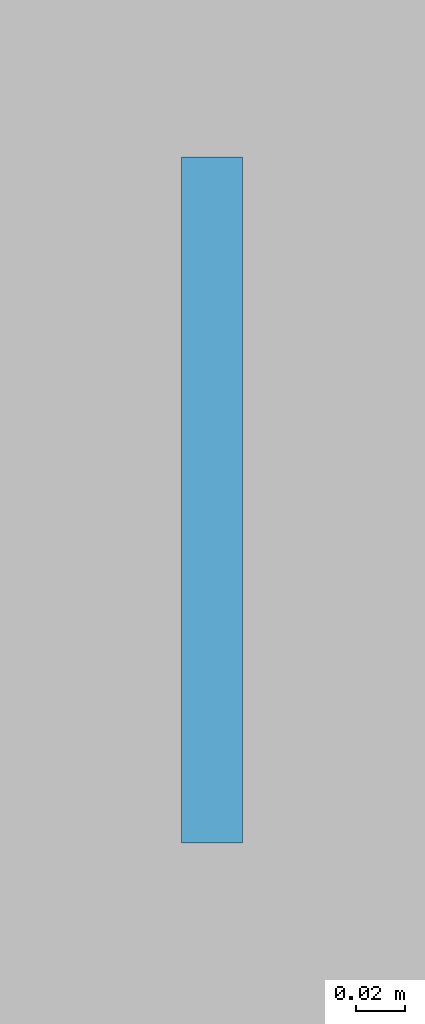
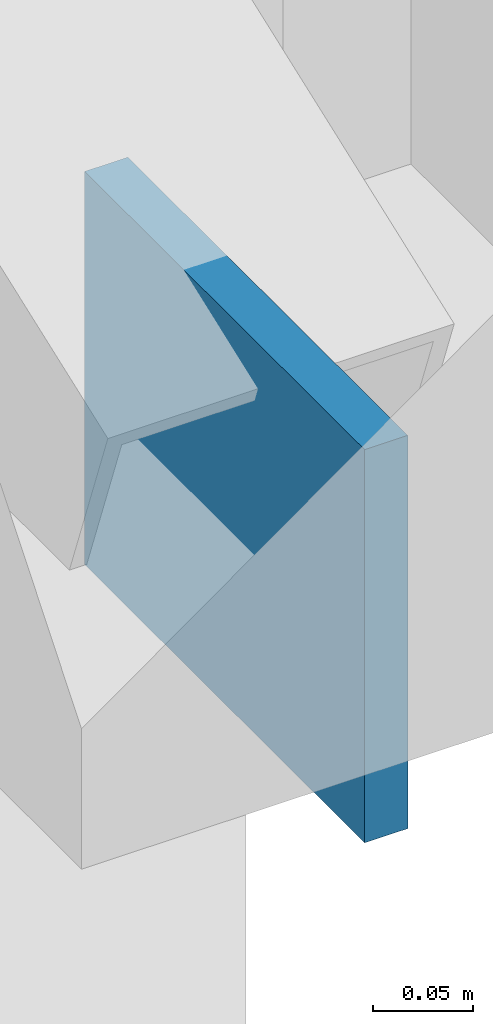
# One storey, part 132 of 157: 1 plate.
"""IFC4 building model written with IfcOpenShell, lengths in metres."""

from ifc_helpers import new_model, si_unit, direction, frame, origin, origin_2d, place, context, subcontext, project, spatial, rectangle, extrude, material, layer, layer_set, type_object, element, save


model = new_model("IFC4")

# Units and contexts
model_context = context("Model", 3, precision=1e-05, world=origin(), true_north=direction((0.0, 1.0)))
body_context = subcontext(model_context, "Body", "Model", "MODEL_VIEW")
ifc_project = project(units=[si_unit("LENGTHUNIT", "METRE"), si_unit("AREAUNIT", "SQUARE_METRE"), si_unit("VOLUMEUNIT", "CUBIC_METRE"), si_unit("PLANEANGLEUNIT", "RADIAN"), si_unit("MASSUNIT", "GRAM", prefix="KILO")], contexts=[model_context])

# Site, building, storey
site_placement = place(None, origin())
site = spatial("IfcSite", under=ifc_project, at=site_placement, CompositionType="ELEMENT")
building_placement = place(site_placement, origin())
building = spatial("IfcBuilding", under=site, at=building_placement, Name="Karori Crest Natural Sciences Institute", CompositionType="ELEMENT")
storey_placement = place(building_placement, frame((0.0, 0.0, 13.300048828125)))
storey = spatial("IfcBuildingStorey", under=building, at=storey_placement, Name="L03", CompositionType="ELEMENT", Elevation=13.300048828125)

# Plate
ifc_material = material(Name="Structural steel AS/NZS 3679.1 Grade 350", Category="steel")
ifc_layer = layer(ifc_material, 0.02490234375, Name="Structural steel AS/NZS 3679.1 Grade 350")
ifc_layer_set = layer_set([ifc_layer], Name="Structural steel AS/NZS 3679.1 Grade 350")
plate_type = type_object("IfcPlateType", Name="PLT-06-EL", PredefinedType="SHEET", material=ifc_layer_set)
plate_placement = place(storey_placement, frame((27.199951171875, 95.0, -0.10986328125), z_axis=(0.0, 0.0, 1.0), x_axis=(0.0, 1.0, 0.0)))
element("IfcPlate", 1, at=plate_placement, inside=storey, type_object=plate_type, Name="Brace gusset plate EP-0374", PredefinedType="SHEET", context=body_context, shape_type="SweptSolid", body=[
    extrude(rectangle(XDim=0.280029296875, YDim=0.02490234375, at=origin_2d()), origin(), (0.0, 0.0, 1.0), 0.239990234375),
])

save(model, "model.ifc")
